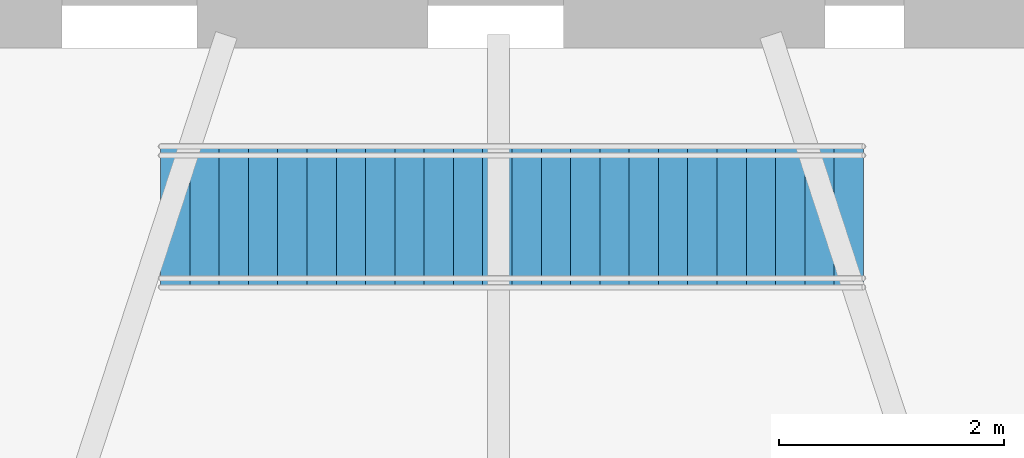
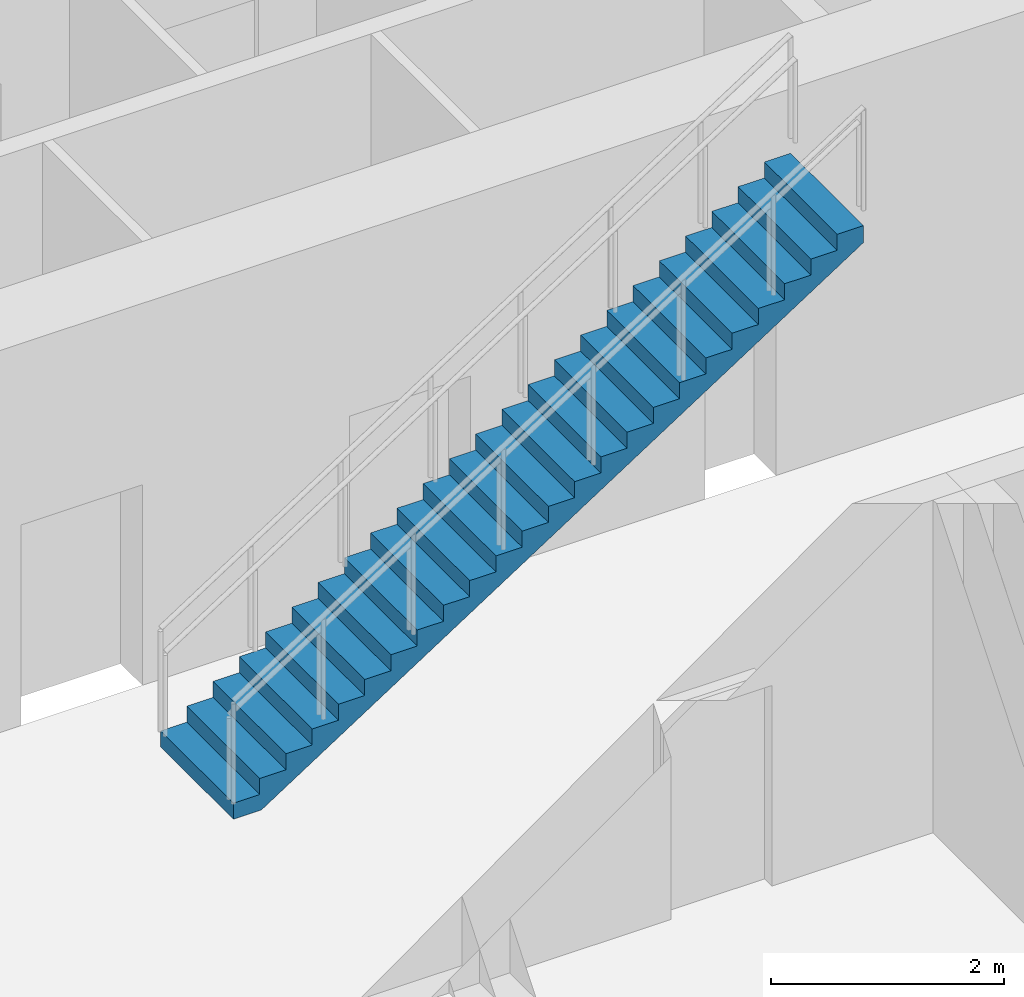
# One storey, part 7 of 8: 1 stair flight, 1 element without a shape of its own.
"""IFC4 building model written with IfcOpenShell, lengths in metres."""

from ifc_helpers import new_model, si_unit, direction, frame, origin, place, context, subcontext, project, spatial, polyline, outline, extrude, material, type_object, element, aggregate, save


model = new_model("IFC4")

# Units and contexts
model_context = context("Model", 3, precision=1e-05, world=origin(), true_north=direction((0.0, 1.0)))
body_context = subcontext(model_context, "Body", "Model", "MODEL_VIEW")
ifc_project = project(units=[si_unit("LENGTHUNIT", "METRE"), si_unit("AREAUNIT", "SQUARE_METRE"), si_unit("VOLUMEUNIT", "CUBIC_METRE"), si_unit("PLANEANGLEUNIT", "RADIAN"), si_unit("MASSUNIT", "GRAM", prefix="KILO")], contexts=[model_context])

# Site, building, storey
site_placement = place(None, origin())
site = spatial("IfcSite", under=ifc_project, at=site_placement, CompositionType="ELEMENT")
building_placement = place(site_placement, origin())
building = spatial("IfcBuilding", under=site, at=building_placement, Name="Rubra Terraces Tower", CompositionType="ELEMENT")
storey_placement = place(building_placement, frame((0.0, 0.0, 316.199951171875)))
storey = spatial("IfcBuildingStorey", under=building, at=storey_placement, Name="L78", CompositionType="ELEMENT", Elevation=316.199951171875)

# Stair, stair flight
ifc_material = material(Name="Steel S355", Category="steel")
stair_type = type_object("IfcStairType", Name="Crown service stair 1250", PredefinedType="STRAIGHT_RUN_STAIR", material=ifc_material)
stair_placement = place(storey_placement, origin())
stair = element("IfcStair", 1, at=stair_placement, inside=storey, type_object=stair_type, Name="L78 Crown service stair S5", PredefinedType="STRAIGHT_RUN_STAIR")
stair_flight_type = type_object("IfcStairFlightType", Name="Crown service stair flight 1250", PredefinedType="STRAIGHT", material=ifc_material)
stair_flight_placement = place(storey_placement, frame((-3.0, -4.5, 0.0), z_axis=(0.0, 0.0, 1.0), x_axis=(1.0, 0.0, 0.0)))
stair_flight = element("IfcStairFlight", 2, at=stair_flight_placement, type_object=stair_flight_type, Name="S5 flight 1", NumberOfRisers=25, NumberOfTreads=24, PredefinedType="STRAIGHT", RiserHeight=0.168, TreadLength=0.26, context=body_context, shape_type="SweptSolid", body=[
    extrude(outline(polyline([(0.0, 0.0), (0.0, 0.16796875), (0.260009765625, 0.16796875), (0.260009765625, 0.3359375), (0.52001953125, 0.3359375), (0.52001953125, 0.50390625), (0.780029296875, 0.50390625), (0.780029296875, 0.672119140625), (1.0400390625, 0.672119140625), (1.0400390625, 0.840087890625), (1.300048828125, 0.840087890625), (1.300048828125, 1.008056640625), (1.56005859375, 1.008056640625), (1.56005859375, 1.176025390625), (1.820068359375, 1.176025390625), (1.820068359375, 1.343994140625), (2.080078125, 1.343994140625), (2.080078125, 1.511962890625), (2.340087890625, 1.511962890625), (2.340087890625, 1.679931640625), (2.60009765625, 1.679931640625), (2.60009765625, 1.847900390625), (2.860107421875, 1.847900390625), (2.860107421875, 2.01611328125), (3.1201171875, 2.01611328125), (3.1201171875, 2.18408203125), (3.3798828125, 2.18408203125), (3.3798828125, 2.35205078125), (3.639892578125, 2.35205078125), (3.639892578125, 2.52001953125), (3.89990234375, 2.52001953125), (3.89990234375, 2.68798828125), (4.159912109375, 2.68798828125), (4.159912109375, 2.85595703125), (4.419921875, 2.85595703125), (4.419921875, 3.02392578125), (4.679931640625, 3.02392578125), (4.679931640625, 3.19189453125), (4.93994140625, 3.19189453125), (4.93994140625, 3.360107421875), (5.199951171875, 3.360107421875), (5.199951171875, 3.528076171875), (5.4599609375, 3.528076171875), (5.4599609375, 3.696044921875), (5.719970703125, 3.696044921875), (5.719970703125, 3.864013671875), (5.97998046875, 3.864013671875), (5.97998046875, 4.031982421875), (6.239990234375, 4.031982421875), (6.239990234375, 4.199951171875), (6.239990234375, 3.853515625), (0.276123046875, 0.0), (0.0, 0.0)])), frame((0.0, 0.625, 0.0), z_axis=(0.0, -1.0, 0.0), x_axis=(1.0, 0.0, 0.0)), (0.0, 0.0, 1.0), 1.25),
])
aggregate(stair, [stair_flight])

save(model, "model.ifc")
